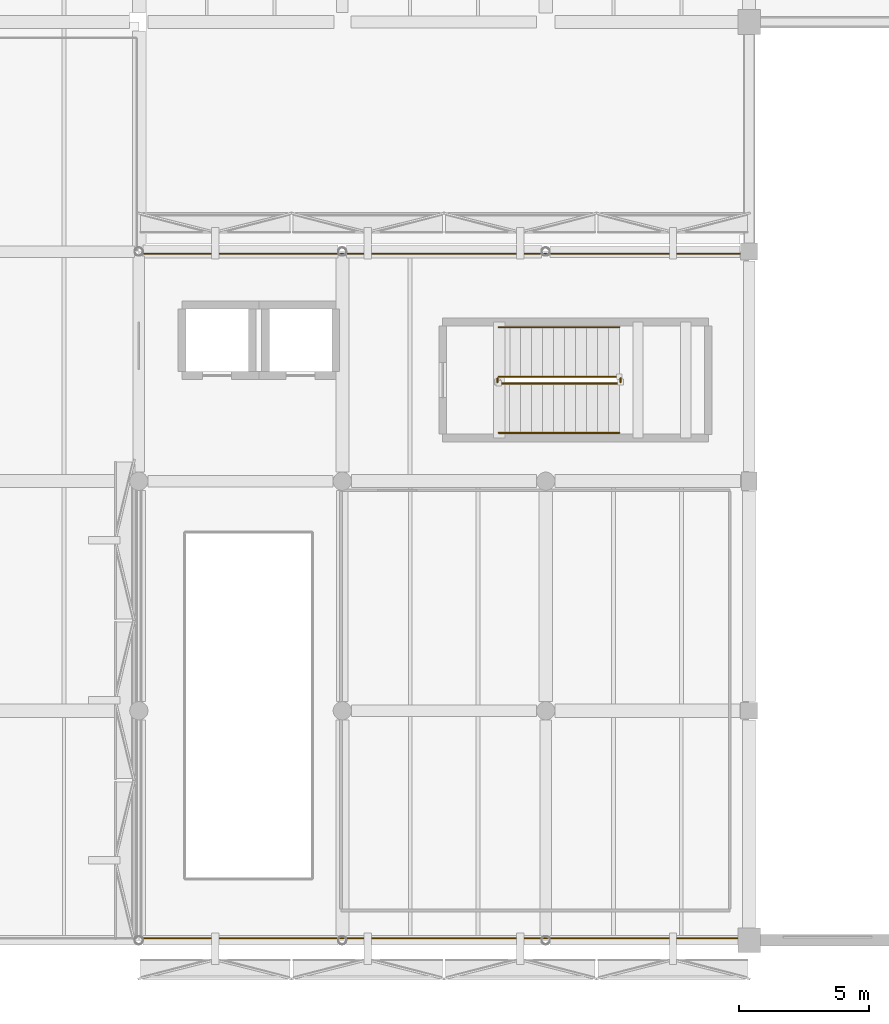
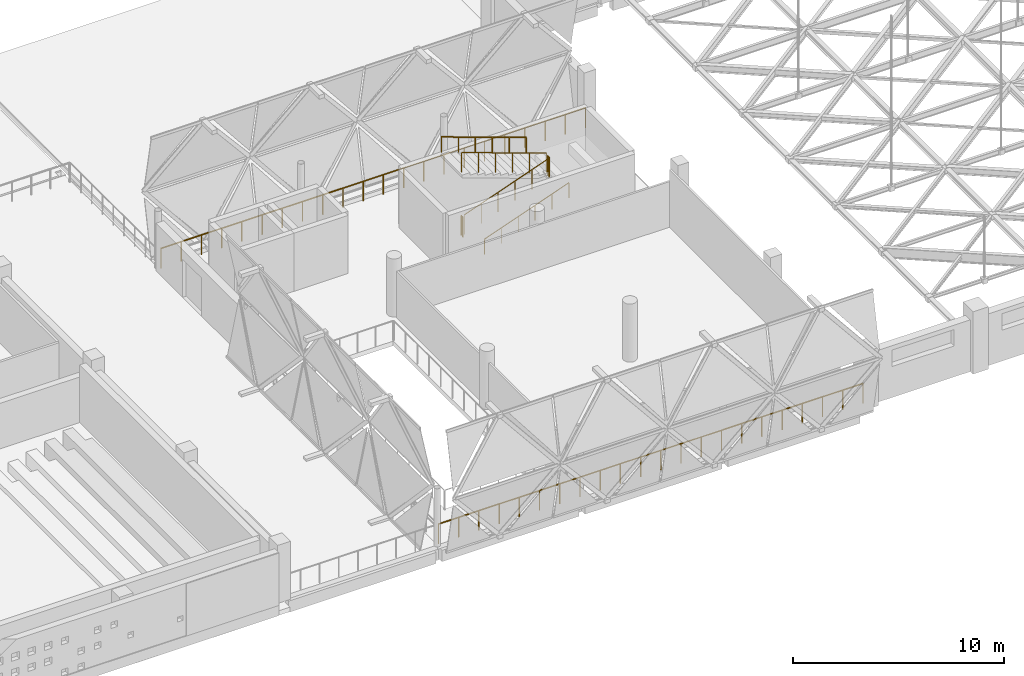
# One storey, part 90 of 93: 8 railings.
"""IFC4 building model written with IfcOpenShell, lengths in metres."""

from ifc_helpers import new_model, si_unit, direction, frame, origin, origin_2d, place, context, subcontext, project, spatial, circle, extrude, material, layer, layer_set, type_object, element, save


model = new_model("IFC4")

# Units and contexts
model_context = context("Model", 3, precision=1e-05, world=origin(), true_north=direction((0.0, 1.0)))
body_context = subcontext(model_context, "Body", "Model", "MODEL_VIEW")
ifc_project = project(units=[si_unit("LENGTHUNIT", "METRE"), si_unit("AREAUNIT", "SQUARE_METRE"), si_unit("VOLUMEUNIT", "CUBIC_METRE"), si_unit("PLANEANGLEUNIT", "RADIAN"), si_unit("MASSUNIT", "GRAM", prefix="KILO")], contexts=[model_context])

# Site, building, storey
site_placement = place(None, origin())
site = spatial("IfcSite", under=ifc_project, at=site_placement, CompositionType="ELEMENT")
building_placement = place(site_placement, origin())
building = spatial("IfcBuilding", under=site, at=building_placement, Name="Varnakota Cinema and Media Centre", CompositionType="ELEMENT")
storey_placement = place(building_placement, frame((0.0, 0.0, 12.0)))
storey = spatial("IfcBuildingStorey", under=building, at=storey_placement, Name="L03", CompositionType="ELEMENT", Elevation=12.0)

# Railings
ifc_material_1 = material(Name="Anodised golden-bronze steel Grade 350 (E350)", Category="steel")
ifc_layer_1 = layer(ifc_material_1, 0.050048828125)
ifc_layer_set_1 = layer_set([ifc_layer_1], Name="Anodised golden-bronze steel Grade 350 (E350)")
railing_type_1 = type_object("IfcRailingType", Name="RAIL-GUARD-1150", PredefinedType="BALUSTRADE", material=ifc_layer_set_1)
railing_1_placement = place(storey_placement, frame((51.7099609375, 0.080078125, 0.0)))
element("IfcRailing", 1, at=railing_1_placement, inside=storey, type_object=railing_type_1, Name="L03 guard balustrade GRD-V6GAL-S-L03-1", PredefinedType="BALUSTRADE", context=body_context, shape_type="SweptSolid", body=[
    extrude(circle(Radius=0.02392578125, at=origin_2d()), frame((0.0, 0.0, 1.1259765625), z_axis=(1.0, 0.0, 0.0), x_axis=(0.0, 1.0, 0.0)), (0.0, 0.0, 1.0), 23.179931640625),
    extrude(circle(Radius=0.02099609375, at=origin_2d()), origin(), (0.0, 0.0, 1.0), 1.101806640625),
    extrude(circle(Radius=0.02099609375, at=origin_2d()), frame((1.103759765625, 0.0, 0.0)), (0.0, 0.0, 1.0), 1.101806640625),
    extrude(circle(Radius=0.02099609375, at=origin_2d()), frame((2.20751953125, 0.0, 0.0)), (0.0, 0.0, 1.0), 1.101806640625),
    extrude(circle(Radius=0.02099609375, at=origin_2d()), frame((3.3115234375, 0.0, 0.0)), (0.0, 0.0, 1.0), 1.101806640625),
    extrude(circle(Radius=0.02099609375, at=origin_2d()), frame((4.415283203125, 0.0, 0.0)), (0.0, 0.0, 1.0), 1.101806640625),
    extrude(circle(Radius=0.02099609375, at=origin_2d()), frame((5.51904296875, 0.0, 0.0)), (0.0, 0.0, 1.0), 1.101806640625),
    extrude(circle(Radius=0.02099609375, at=origin_2d()), frame((6.622802734375, 0.0, 0.0)), (0.0, 0.0, 1.0), 1.101806640625),
    extrude(circle(Radius=0.02099609375, at=origin_2d()), frame((7.7265625, 0.0, 0.0)), (0.0, 0.0, 1.0), 1.101806640625),
    extrude(circle(Radius=0.02099609375, at=origin_2d()), frame((8.83056640625, 0.0, 0.0)), (0.0, 0.0, 1.0), 1.101806640625),
    extrude(circle(Radius=0.02099609375, at=origin_2d()), frame((9.934326171875, 0.0, 0.0)), (0.0, 0.0, 1.0), 1.101806640625),
    extrude(circle(Radius=0.02099609375, at=origin_2d()), frame((11.0380859375, 0.0, 0.0)), (0.0, 0.0, 1.0), 1.101806640625),
    extrude(circle(Radius=0.02099609375, at=origin_2d()), frame((12.141845703125, 0.0, 0.0)), (0.0, 0.0, 1.0), 1.101806640625),
    extrude(circle(Radius=0.02099609375, at=origin_2d()), frame((13.24560546875, 0.0, 0.0)), (0.0, 0.0, 1.0), 1.101806640625),
    extrude(circle(Radius=0.02099609375, at=origin_2d()), frame((14.349365234375, 0.0, 0.0)), (0.0, 0.0, 1.0), 1.101806640625),
    extrude(circle(Radius=0.02099609375, at=origin_2d()), frame((15.453369140625, 0.0, 0.0)), (0.0, 0.0, 1.0), 1.101806640625),
    extrude(circle(Radius=0.02099609375, at=origin_2d()), frame((16.55712890625, 0.0, 0.0)), (0.0, 0.0, 1.0), 1.101806640625),
    extrude(circle(Radius=0.02099609375, at=origin_2d()), frame((17.660888671875, 0.0, 0.0)), (0.0, 0.0, 1.0), 1.101806640625),
    extrude(circle(Radius=0.02099609375, at=origin_2d()), frame((18.7646484375, 0.0, 0.0)), (0.0, 0.0, 1.0), 1.101806640625),
    extrude(circle(Radius=0.02099609375, at=origin_2d()), frame((19.868408203125, 0.0, 0.0)), (0.0, 0.0, 1.0), 1.101806640625),
    extrude(circle(Radius=0.02099609375, at=origin_2d()), frame((20.972412109375, 0.0, 0.0)), (0.0, 0.0, 1.0), 1.101806640625),
    extrude(circle(Radius=0.02099609375, at=origin_2d()), frame((22.076171875, 0.0, 0.0)), (0.0, 0.0, 1.0), 1.101806640625),
    extrude(circle(Radius=0.02099609375, at=origin_2d()), frame((23.179931640625, 0.0, 0.0)), (0.0, 0.0, 1.0), 1.101806640625),
])
railing_2_placement = place(storey_placement, frame((51.7099609375, 26.320068359375, 0.0)))
element("IfcRailing", 2, at=railing_2_placement, inside=storey, type_object=railing_type_1, Name="L03 guard balustrade GRD-V6GAL-N-L03-1", PredefinedType="BALUSTRADE", context=body_context, shape_type="SweptSolid", body=[
    extrude(circle(Radius=0.02392578125, at=origin_2d()), frame((0.0, 0.0, 1.1259765625), z_axis=(1.0, 0.0, 0.0), x_axis=(0.0, 1.0, 0.0)), (0.0, 0.0, 1.0), 23.179931640625),
    extrude(circle(Radius=0.02099609375, at=origin_2d()), origin(), (0.0, 0.0, 1.0), 1.101806640625),
    extrude(circle(Radius=0.02099609375, at=origin_2d()), frame((1.103759765625, 0.0, 0.0)), (0.0, 0.0, 1.0), 1.101806640625),
    extrude(circle(Radius=0.02099609375, at=origin_2d()), frame((2.20751953125, 0.0, 0.0)), (0.0, 0.0, 1.0), 1.101806640625),
    extrude(circle(Radius=0.02099609375, at=origin_2d()), frame((3.3115234375, 0.0, 0.0)), (0.0, 0.0, 1.0), 1.101806640625),
    extrude(circle(Radius=0.02099609375, at=origin_2d()), frame((4.415283203125, 0.0, 0.0)), (0.0, 0.0, 1.0), 1.101806640625),
    extrude(circle(Radius=0.02099609375, at=origin_2d()), frame((5.51904296875, 0.0, 0.0)), (0.0, 0.0, 1.0), 1.101806640625),
    extrude(circle(Radius=0.02099609375, at=origin_2d()), frame((6.622802734375, 0.0, 0.0)), (0.0, 0.0, 1.0), 1.101806640625),
    extrude(circle(Radius=0.02099609375, at=origin_2d()), frame((7.7265625, 0.0, 0.0)), (0.0, 0.0, 1.0), 1.101806640625),
    extrude(circle(Radius=0.02099609375, at=origin_2d()), frame((8.83056640625, 0.0, 0.0)), (0.0, 0.0, 1.0), 1.101806640625),
    extrude(circle(Radius=0.02099609375, at=origin_2d()), frame((9.934326171875, 0.0, 0.0)), (0.0, 0.0, 1.0), 1.101806640625),
    extrude(circle(Radius=0.02099609375, at=origin_2d()), frame((11.0380859375, 0.0, 0.0)), (0.0, 0.0, 1.0), 1.101806640625),
    extrude(circle(Radius=0.02099609375, at=origin_2d()), frame((12.141845703125, 0.0, 0.0)), (0.0, 0.0, 1.0), 1.101806640625),
    extrude(circle(Radius=0.02099609375, at=origin_2d()), frame((13.24560546875, 0.0, 0.0)), (0.0, 0.0, 1.0), 1.101806640625),
    extrude(circle(Radius=0.02099609375, at=origin_2d()), frame((14.349365234375, 0.0, 0.0)), (0.0, 0.0, 1.0), 1.101806640625),
    extrude(circle(Radius=0.02099609375, at=origin_2d()), frame((15.453369140625, 0.0, 0.0)), (0.0, 0.0, 1.0), 1.101806640625),
    extrude(circle(Radius=0.02099609375, at=origin_2d()), frame((16.55712890625, 0.0, 0.0)), (0.0, 0.0, 1.0), 1.101806640625),
    extrude(circle(Radius=0.02099609375, at=origin_2d()), frame((17.660888671875, 0.0, 0.0)), (0.0, 0.0, 1.0), 1.101806640625),
    extrude(circle(Radius=0.02099609375, at=origin_2d()), frame((18.7646484375, 0.0, 0.0)), (0.0, 0.0, 1.0), 1.101806640625),
    extrude(circle(Radius=0.02099609375, at=origin_2d()), frame((19.868408203125, 0.0, 0.0)), (0.0, 0.0, 1.0), 1.101806640625),
    extrude(circle(Radius=0.02099609375, at=origin_2d()), frame((20.972412109375, 0.0, 0.0)), (0.0, 0.0, 1.0), 1.101806640625),
    extrude(circle(Radius=0.02099609375, at=origin_2d()), frame((22.076171875, 0.0, 0.0)), (0.0, 0.0, 1.0), 1.101806640625),
    extrude(circle(Radius=0.02099609375, at=origin_2d()), frame((23.179931640625, 0.0, 0.0)), (0.0, 0.0, 1.0), 1.101806640625),
])
ifc_material_2 = material(Name="Structural steel Grade 350 (E350)", Category="steel")
ifc_layer_2 = layer(ifc_material_2, 0.050048828125)
ifc_layer_set_2 = layer_set([ifc_layer_2], Name="Structural steel Grade 350 (E350)")
railing_type_2 = type_object("IfcRailingType", Name="RAIL-STAIR-GUARD-1150", PredefinedType="GUARDRAIL", material=ifc_layer_set_2)
railing_3_placement = place(storey_placement, frame((65.39990234375, 21.35009765625, 0.14990234375)))
element("IfcRailing", 3, at=railing_3_placement, inside=storey, type_object=railing_type_2, Name="L03 ST-04 stair guard 1", PredefinedType="GUARDRAIL", context=body_context, shape_type="SweptSolid", body=[
    extrude(circle(Radius=0.02392578125, at=origin_2d()), frame((0.0, 0.0, 1.1259765625), z_axis=(0.941735156102, 0.0, 0.336355311778), x_axis=(0.0, 1.0, 0.0)), (0.0, 0.0, 1.0), 4.906005859375),
    extrude(circle(Radius=0.02099609375, at=origin_2d()), origin(), (0.0, 0.0, 1.0), 1.101806640625),
    extrude(circle(Radius=0.02099609375, at=origin_2d()), frame((0.924072265625, 0.0, 0.330078125)), (0.0, 0.0, 1.0), 1.101806640625),
    extrude(circle(Radius=0.02099609375, at=origin_2d()), frame((1.84814453125, 0.0, 0.66015625)), (0.0, 0.0, 1.0), 1.101806640625),
    extrude(circle(Radius=0.02099609375, at=origin_2d()), frame((2.77197265625, 0.0, 0.989990234375)), (0.0, 0.0, 1.0), 1.101806640625),
    extrude(circle(Radius=0.02099609375, at=origin_2d()), frame((3.696044921875, 0.0, 1.320068359375)), (0.0, 0.0, 1.0), 1.101806640625),
    extrude(circle(Radius=0.02099609375, at=origin_2d()), frame((4.6201171875, 0.0, 1.650146484375)), (0.0, 0.0, 1.0), 1.101806640625),
])
railing_4_placement = place(storey_placement, frame((70.070068359375, 21.39990234375, 1.800048828125)))
element("IfcRailing", 4, at=railing_4_placement, inside=storey, type_object=railing_type_2, Name="L03 ST-04 stair guard 2", PredefinedType="GUARDRAIL", context=body_context, shape_type="SweptSolid", body=[
    extrude(circle(Radius=0.02392578125, at=origin_2d()), frame((0.0, 0.0, 1.1259765625), z_axis=(0.0, 1.0, 0.0), x_axis=(-1.0, 0.0, 0.0)), (0.0, 0.0, 1.0), 0.150146484375),
    extrude(circle(Radius=0.02099609375, at=origin_2d()), origin(), (0.0, 0.0, 1.0), 1.101806640625),
    extrude(circle(Radius=0.02099609375, at=origin_2d()), frame((0.0, 0.150146484375, 0.0)), (0.0, 0.0, 1.0), 1.101806640625),
])
railing_5_placement = place(storey_placement, frame((70.02001953125, 21.60009765625, 1.949951171875)))
element("IfcRailing", 5, at=railing_5_placement, inside=storey, type_object=railing_type_2, Name="L03 ST-04 stair guard 3", PredefinedType="GUARDRAIL", context=body_context, shape_type="SweptSolid", body=[
    extrude(circle(Radius=0.02392578125, at=origin_2d()), frame((0.0, 0.0, 1.1259765625), z_axis=(-0.941735156102, 0.0, 0.336355311778), x_axis=(0.0, -1.0, 0.0)), (0.0, 0.0, 1.0), 4.906005859375),
    extrude(circle(Radius=0.02099609375, at=origin_2d()), origin(), (0.0, 0.0, 1.0), 1.101806640625),
    extrude(circle(Radius=0.02099609375, at=origin_2d()), frame((-0.924072265625, 0.0, 0.330078125)), (0.0, 0.0, 1.0), 1.101806640625),
    extrude(circle(Radius=0.02099609375, at=origin_2d()), frame((-1.84814453125, 0.0, 0.66015625)), (0.0, 0.0, 1.0), 1.101806640625),
    extrude(circle(Radius=0.02099609375, at=origin_2d()), frame((-2.77197265625, 0.0, 0.989990234375)), (0.0, 0.0, 1.0), 1.101806640625),
    extrude(circle(Radius=0.02099609375, at=origin_2d()), frame((-3.696044921875, 0.0, 1.320068359375)), (0.0, 0.0, 1.0), 1.101806640625),
    extrude(circle(Radius=0.02099609375, at=origin_2d()), frame((-4.6201171875, 0.0, 1.650146484375)), (0.0, 0.0, 1.0), 1.101806640625),
])
railing_6_placement = place(storey_placement, frame((65.35009765625, 21.39990234375, 0.0)))
element("IfcRailing", 6, at=railing_6_placement, inside=storey, type_object=railing_type_2, Name="L03 ST-04 stair guard 4", PredefinedType="GUARDRAIL", context=body_context, shape_type="SweptSolid", body=[
    extrude(circle(Radius=0.02392578125, at=origin_2d()), frame((0.0, 0.0, 1.1259765625), z_axis=(0.0, 1.0, 0.0), x_axis=(-1.0, 0.0, 0.0)), (0.0, 0.0, 1.0), 0.150146484375),
    extrude(circle(Radius=0.02099609375, at=origin_2d()), origin(), (0.0, 0.0, 1.0), 1.101806640625),
    extrude(circle(Radius=0.02099609375, at=origin_2d()), frame((0.0, 0.150146484375, 0.0)), (0.0, 0.0, 1.0), 1.101806640625),
])
ifc_material_3 = material(Name="Structural steel Grade 350 (E350)", Category="steel")
ifc_layer_3 = layer(ifc_material_3, 0.048095703125)
ifc_layer_set_3 = layer_set([ifc_layer_3], Name="Structural steel Grade 350 (E350)")
railing_type_3 = type_object("IfcRailingType", Name="RAIL-STAIR-HAND-900", PredefinedType="HANDRAIL", material=ifc_layer_set_3)
railing_7_placement = place(storey_placement, frame((65.39990234375, 19.449951171875, 0.14990234375)))
element("IfcRailing", 7, at=railing_7_placement, inside=storey, type_object=railing_type_3, Name="L03 ST-04 stair handrail 1", PredefinedType="HANDRAIL", context=body_context, shape_type="SweptSolid", body=[
    extrude(circle(Radius=0.02392578125, at=origin_2d()), frame((0.0, 0.0, 0.8759765625), z_axis=(0.941735156102, 0.0, 0.336355311778), x_axis=(0.0, 1.0, 0.0)), (0.0, 0.0, 1.0), 4.906005859375),
    extrude(circle(Radius=0.02099609375, at=origin_2d()), origin(), (0.0, 0.0, 1.0), 0.851806640625),
    extrude(circle(Radius=0.02099609375, at=origin_2d()), frame((0.924072265625, 0.0, 0.330078125)), (0.0, 0.0, 1.0), 0.851806640625),
    extrude(circle(Radius=0.02099609375, at=origin_2d()), frame((1.84814453125, 0.0, 0.66015625)), (0.0, 0.0, 1.0), 0.851806640625),
    extrude(circle(Radius=0.02099609375, at=origin_2d()), frame((2.77197265625, 0.0, 0.989990234375)), (0.0, 0.0, 1.0), 0.851806640625),
    extrude(circle(Radius=0.02099609375, at=origin_2d()), frame((3.696044921875, 0.0, 1.320068359375)), (0.0, 0.0, 1.0), 0.851806640625),
    extrude(circle(Radius=0.02099609375, at=origin_2d()), frame((4.6201171875, 0.0, 1.650146484375)), (0.0, 0.0, 1.0), 0.851806640625),
])
railing_8_placement = place(storey_placement, frame((70.02001953125, 23.5, 1.949951171875)))
element("IfcRailing", 8, at=railing_8_placement, inside=storey, type_object=railing_type_3, Name="L03 ST-04 stair handrail 2", PredefinedType="HANDRAIL", context=body_context, shape_type="SweptSolid", body=[
    extrude(circle(Radius=0.02392578125, at=origin_2d()), frame((0.0, 0.0, 0.8759765625), z_axis=(-0.941735156102, 0.0, 0.336355311778), x_axis=(0.0, -1.0, 0.0)), (0.0, 0.0, 1.0), 4.906005859375),
    extrude(circle(Radius=0.02099609375, at=origin_2d()), origin(), (0.0, 0.0, 1.0), 0.851806640625),
    extrude(circle(Radius=0.02099609375, at=origin_2d()), frame((-0.924072265625, 0.0, 0.330078125)), (0.0, 0.0, 1.0), 0.851806640625),
    extrude(circle(Radius=0.02099609375, at=origin_2d()), frame((-1.84814453125, 0.0, 0.66015625)), (0.0, 0.0, 1.0), 0.851806640625),
    extrude(circle(Radius=0.02099609375, at=origin_2d()), frame((-2.77197265625, 0.0, 0.989990234375)), (0.0, 0.0, 1.0), 0.851806640625),
    extrude(circle(Radius=0.02099609375, at=origin_2d()), frame((-3.696044921875, 0.0, 1.320068359375)), (0.0, 0.0, 1.0), 0.851806640625),
    extrude(circle(Radius=0.02099609375, at=origin_2d()), frame((-4.6201171875, 0.0, 1.650146484375)), (0.0, 0.0, 1.0), 0.851806640625),
])

save(model, "model.ifc")
